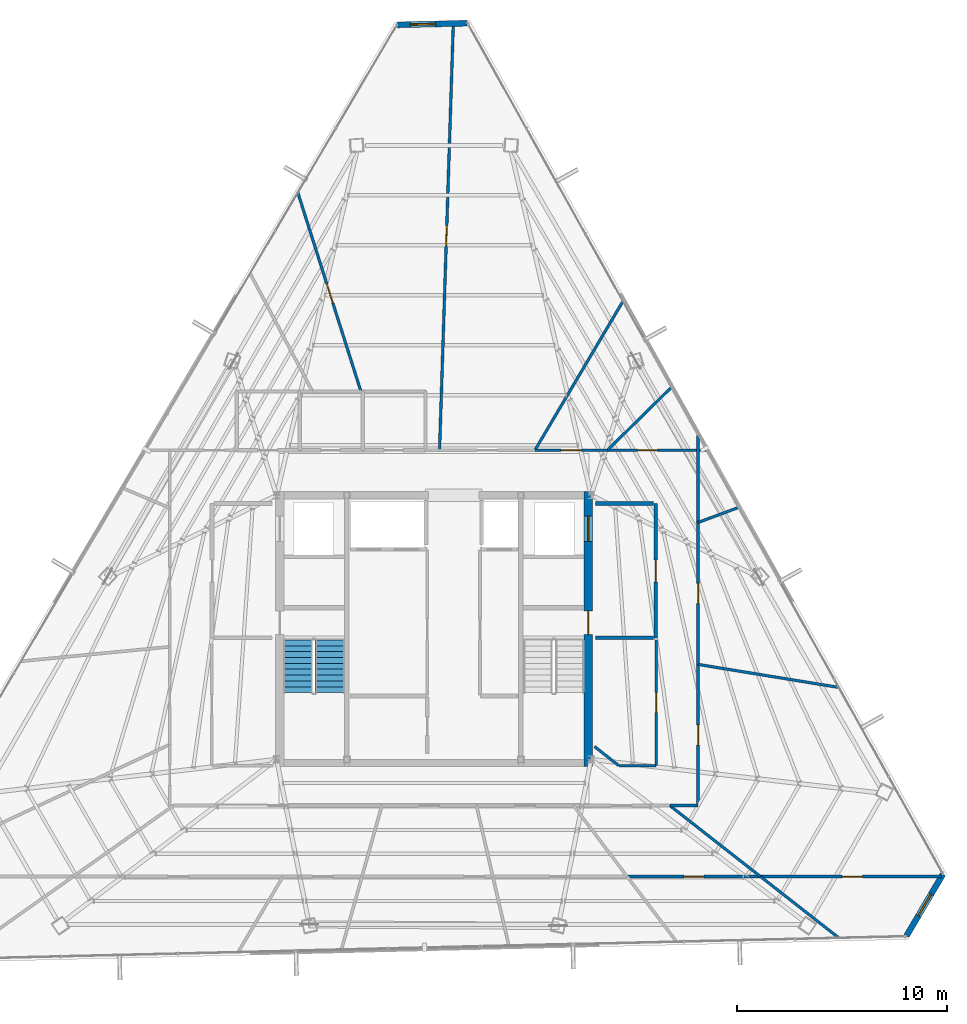
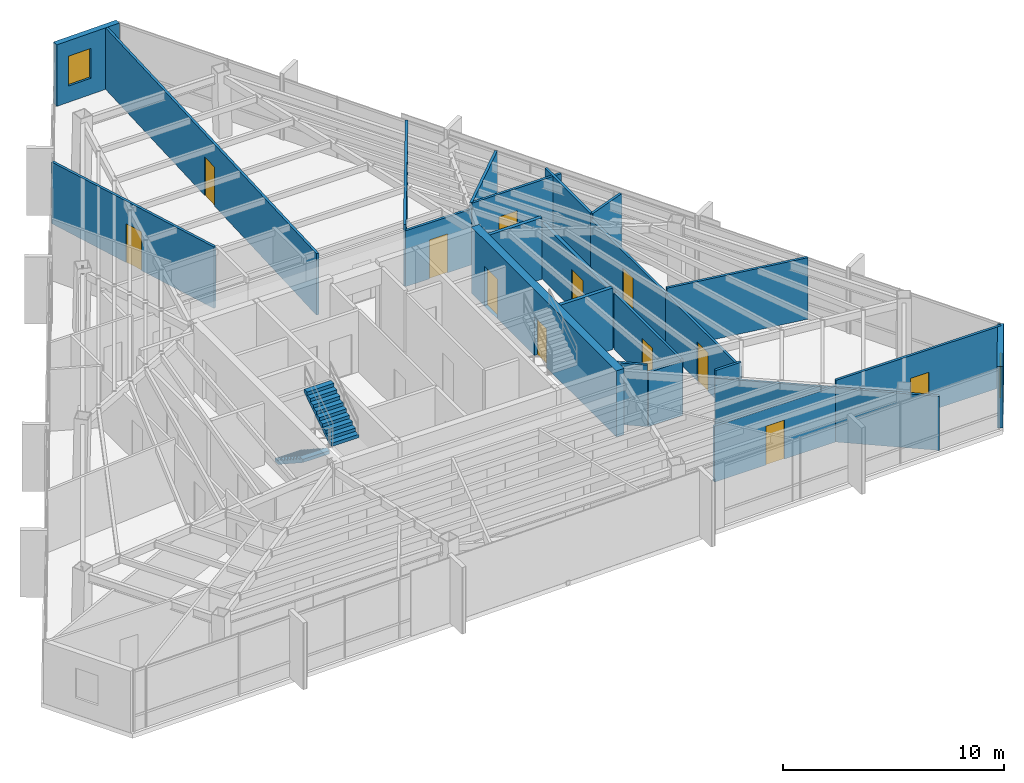
# One storey, part 42 of 45: 25 walls, 12 doors, 2 stair flights, 2 windows, 14 openings, 1 element without a shape of its own.
"""IFC4 building model written with IfcOpenShell, lengths in metres."""

from ifc_helpers import new_model, si_unit, direction, frame, frame_2d, origin, place, context, subcontext, project, spatial, polyline, rectangle, outline, extrude, material, layer, layer_set, type_object, element, fill, aggregate, save


model = new_model("IFC4")

# Units and contexts
model_context = context("Model", 3, precision=1e-05, world=origin(), true_north=direction((0.0, 1.0)))
body_context = subcontext(model_context, "Body", "Model", "MODEL_VIEW")
ifc_project = project(units=[si_unit("LENGTHUNIT", "METRE"), si_unit("AREAUNIT", "SQUARE_METRE"), si_unit("VOLUMEUNIT", "CUBIC_METRE"), si_unit("PLANEANGLEUNIT", "RADIAN"), si_unit("MASSUNIT", "GRAM", prefix="KILO")], contexts=[model_context])

# Site, building, storey
site_placement = place(None, origin())
site = spatial("IfcSite", under=ifc_project, at=site_placement, CompositionType="ELEMENT")
building_placement = place(site_placement, origin())
building = spatial("IfcBuilding", under=site, at=building_placement, Name="Caelisora Broadcast Tower", CompositionType="ELEMENT")
storey_placement = place(building_placement, frame((0.0, 0.0, 262.699951171875)))
storey = spatial("IfcBuildingStorey", under=building, at=storey_placement, Name="L69", CompositionType="ELEMENT", Elevation=262.699951171875)

# Wall, openings, doors
ifc_material_1 = material(Name="Concrete 40 MPa (AS 3600 N40)", Category="concrete")
ifc_layer_1 = layer(ifc_material_1, 0.39990234375, Name="Concrete 40 MPa (AS 3600 N40)")
ifc_layer_set_1 = layer_set([ifc_layer_1], Name="Concrete 40 MPa (AS 3600 N40)")
wall_type_1 = type_object("IfcWallType", Name="CW3", PredefinedType="SHEAR", material=ifc_layer_set_1)
wall_1_placement = place(storey_placement, frame((45.360107421875, 17.050048828125, 0.0), z_axis=(0.0, 0.0, 1.0), x_axis=(0.0, 1.0, 0.0)))
wall_1 = element("IfcWall", 1, at=wall_1_placement, inside=storey, type_object=wall_type_1, Name="L69 core shear wall CW3", PredefinedType="SHEAR", context=body_context, shape_type="SweptSolid", body=[
    extrude(rectangle(XDim=13.125, YDim=0.39990234375, at=frame_2d((6.5625, 0.0))), origin(), (0.0, 0.0, 1.0), 3.650146484375),
])
opening_1_placement = place(wall_1_placement, frame((6.300048828125, 0.0, 0.0)))
opening_1 = element("IfcOpeningElement", 2, at=opening_1_placement, cuts=wall_1, Name="Opening FD04", PredefinedType="OPENING", context=body_context, shape_type="SweptSolid", body=[
    extrude(rectangle(XDim=1.1201171875, YDim=2.14990234375, at=frame_2d((0.56005859375, 1.074951171875))), frame((0.0, 0.2119140625, 0.0), z_axis=(0.0, -1.0, 0.0), x_axis=(1.0, 0.0, 0.0)), (0.0, 0.0, 1.0), 0.423828125),
])
opening_2_placement = place(wall_1_placement, frame((10.75, 0.0, 0.0)))
opening_2 = element("IfcOpeningElement", 3, at=opening_2_placement, cuts=wall_1, Name="Opening LD04", PredefinedType="OPENING", context=body_context, shape_type="SweptSolid", body=[
    extrude(rectangle(XDim=1.199951171875, YDim=2.199951171875, at=frame_2d((0.60009765625, 1.10009765625))), frame((0.0, 0.2119140625, 0.0), z_axis=(0.0, -1.0, 0.0), x_axis=(1.0, 0.0, 0.0)), (0.0, 0.0, 1.0), 0.423828125),
])
ifc_material_2 = material(Name="Pressurised Fire-Isolated Stair Door", Category="steel")
door_type_1 = type_object("IfcDoorType", Name="FD04", OperationType="NOTDEFINED", PredefinedType="DOOR", material=ifc_material_2)
door_1_placement = place(opening_1_placement, origin())
door_1 = element("IfcDoor", 4, at=door_1_placement, inside=storey, type_object=door_type_1, Name="L69 door FD04 (L69-DR-ST2)", OperationType="SINGLE_SWING_RIGHT", OverallHeight=2.14990234375, OverallWidth=1.1201171875, PredefinedType="DOOR", context=body_context, shape_type="SweptSolid", body=[
    extrude(rectangle(XDim=1.1201171875, YDim=2.14990234375, at=frame_2d((0.56005859375, 1.074951171875))), frame((0.0, 0.02490234375, 0.0), z_axis=(0.0, -1.0, 0.0), x_axis=(1.0, 0.0, 0.0)), (0.0, 0.0, 1.0), 0.050048828125),
])
fill(opening_1, door_1)
ifc_material_3 = material(Name="Emergency Firefighting Lift Sliding Landing Door", Category="steel")
door_type_2 = type_object("IfcDoorType", Name="LD04", OperationType="NOTDEFINED", PredefinedType="DOOR", material=ifc_material_3)
door_2_placement = place(opening_2_placement, origin())
door_2 = element("IfcDoor", 5, at=door_2_placement, inside=storey, type_object=door_type_2, Name="L69 door LD04 (L69-LD-FFL2)", OperationType="SLIDING_TO_RIGHT", OverallHeight=2.199951171875, OverallWidth=1.199951171875, PredefinedType="DOOR", context=body_context, shape_type="SweptSolid", body=[
    extrude(rectangle(XDim=1.199951171875, YDim=2.199951171875, at=frame_2d((0.60009765625, 1.10009765625))), frame((0.0, 0.02490234375, 0.0), z_axis=(0.0, -1.0, 0.0), x_axis=(1.0, 0.0, 0.0)), (0.0, 0.0, 1.0), 0.050048828125),
])
fill(opening_2, door_2)

# Wall, opening, window
ifc_material_4 = material(Name="Insulated Terracotta Spandrel Wall System", Category="masonry")
ifc_layer_2 = layer(ifc_material_4, 0.280029296875, Name="Insulated Terracotta Spandrel Wall System")
ifc_layer_set_2 = layer_set([ifc_layer_2], Name="Insulated Terracotta Spandrel Wall System")
wall_type_2 = type_object("IfcWallType", Name="EW1", PredefinedType="STANDARD", material=ifc_layer_set_2)
wall_2_placement = place(storey_placement, frame((62.274658203125, 11.914306640625, 0.0), z_axis=(0.0, 0.0, 1.0), x_axis=(-0.508480349424, -0.86107359398, 0.0)))
wall_2 = element("IfcWall", 6, at=wall_2_placement, inside=storey, type_object=wall_type_2, Name="L69 exterior envelope wall EW1", PredefinedType="STANDARD", context=body_context, shape_type="SweptSolid", body=[
    extrude(rectangle(XDim=3.4033203125, YDim=0.280029296875, at=frame_2d((1.70166015625, 0.0))), origin(), (0.0, 0.0, 1.0), 3.400146484375),
])
opening_3_placement = place(wall_2_placement, frame((1.10009765625, 0.0, 0.89990234375)))
opening_3 = element("IfcOpeningElement", 7, at=opening_3_placement, cuts=wall_2, Name="Opening W03", PredefinedType="OPENING", context=body_context, shape_type="SweptSolid", body=[
    extrude(rectangle(XDim=1.199951171875, YDim=1.64990234375, at=frame_2d((0.60009765625, 0.824951171875))), frame((0.0, 0.152099609375, 0.0), z_axis=(0.0, -1.0, 0.0), x_axis=(1.0, 0.0, 0.0)), (0.0, 0.0, 1.0), 0.303955078125),
])
ifc_material_5 = material(Name="Double Glazed Corner Vision Window", Category="glass")
window_type = type_object("IfcWindowType", Name="W03", PartitioningType="SINGLE_PANEL", PredefinedType="WINDOW", material=ifc_material_5)
window_1_placement = place(opening_3_placement, origin())
window_1 = element("IfcWindow", 8, at=window_1_placement, inside=storey, type_object=window_type, Name="L69 window W03 (L69-WN-CH0)", OverallHeight=1.64990234375, OverallWidth=1.199951171875, PartitioningType="SINGLE_PANEL", PredefinedType="WINDOW", context=body_context, shape_type="SweptSolid", body=[
    extrude(rectangle(XDim=1.199951171875, YDim=1.64990234375, at=frame_2d((0.60009765625, 0.824951171875))), frame((0.0, 0.030029296875, 0.0), z_axis=(0.0, -1.0, 0.0), x_axis=(1.0, 0.0, 0.0)), (0.0, 0.0, 1.0), 0.06005859375),
])
fill(opening_3, window_1)

wall_3_placement = place(storey_placement, frame((36.27001953125, 52.435791015625, 0.0), z_axis=(0.0, 0.0, 1.0), x_axis=(0.999711728511, 0.024009578864, 0.0)))
wall_3 = element("IfcWall", 9, at=wall_3_placement, inside=storey, type_object=wall_type_2, Name="L69 exterior envelope wall EW1", PredefinedType="STANDARD", context=body_context, shape_type="SweptSolid", body=[
    extrude(rectangle(XDim=3.31494140625, YDim=0.280029296875, at=frame_2d((1.657470703125, 0.0))), origin(), (0.0, 0.0, 1.0), 3.400146484375),
])
opening_4_placement = place(wall_3_placement, frame((0.610107421875, 0.0, 0.89990234375)))
opening_4 = element("IfcOpeningElement", 10, at=opening_4_placement, cuts=wall_3, Name="Opening W03", PredefinedType="OPENING", context=body_context, shape_type="SweptSolid", body=[
    extrude(rectangle(XDim=1.199951171875, YDim=1.64990234375, at=frame_2d((0.60009765625, 0.824951171875))), frame((0.0, 0.152099609375, 0.0), z_axis=(0.0, -1.0, 0.0), x_axis=(1.0, 0.0, 0.0)), (0.0, 0.0, 1.0), 0.303955078125),
])
window_2_placement = place(opening_4_placement, origin())
window_2 = element("IfcWindow", 11, at=window_2_placement, inside=storey, type_object=window_type, Name="L69 window W03 (L69-WN-CH8)", OverallHeight=1.64990234375, OverallWidth=1.199951171875, PartitioningType="SINGLE_PANEL", PredefinedType="WINDOW", context=body_context, shape_type="SweptSolid", body=[
    extrude(rectangle(XDim=1.199951171875, YDim=1.64990234375, at=frame_2d((0.60009765625, 0.824951171875))), frame((0.0, 0.030029296875, 0.0), z_axis=(0.0, -1.0, 0.0), x_axis=(1.0, 0.0, 0.0)), (0.0, 0.0, 1.0), 0.06005859375),
])
fill(opening_4, window_2)

# Wall, opening, door
ifc_material_6 = material(Name="Fire-Rated Gypsum Shaft and Compartment Wall", Category="gypsum")
ifc_layer_3 = layer(ifc_material_6, 0.179931640625, Name="Fire-Rated Gypsum Shaft and Compartment Wall")
ifc_layer_set_3 = layer_set([ifc_layer_3], Name="Fire-Rated Gypsum Shaft and Compartment Wall")
wall_type_3 = type_object("IfcWallType", Name="PW2", PredefinedType="PARTITIONING", material=ifc_layer_set_3)
wall_4_placement = place(storey_placement, frame((48.580078125, 23.199951171875, 0.0), z_axis=(0.0, 0.0, 1.0), x_axis=(0.0, 1.0, 0.0)))
wall_4 = element("IfcWall", 12, at=wall_4_placement, inside=storey, type_object=wall_type_3, Name="L69 fire compartment wall PW2", PredefinedType="PARTITIONING", context=body_context, shape_type="SweptSolid", body=[
    extrude(rectangle(XDim=6.400146484375, YDim=0.179931640625, at=frame_2d((3.2001953125, 0.0))), origin(), (0.0, 0.0, 1.0), 3.0849609375),
])
opening_5_placement = place(wall_4_placement, frame((2.64990234375, 0.0, 0.0)))
opening_5 = element("IfcOpeningElement", 13, at=opening_5_placement, cuts=wall_4, Name="Opening FD02", PredefinedType="OPENING", context=body_context, shape_type="SweptSolid", body=[
    extrude(rectangle(XDim=1.050048828125, YDim=2.14990234375, at=frame_2d((0.52490234375, 1.074951171875))), frame((0.0, 0.10205078125, 0.0), z_axis=(0.0, -1.0, 0.0), x_axis=(1.0, 0.0, 0.0)), (0.0, 0.0, 1.0), 0.203857421875),
])
ifc_material_7 = material(Name="Single-Leaf Steel Fire Lobby Door", Category="steel")
door_type_3 = type_object("IfcDoorType", Name="FD02", OperationType="NOTDEFINED", PredefinedType="DOOR", material=ifc_material_7)
door_3_placement = place(opening_5_placement, origin())
door_3 = element("IfcDoor", 14, at=door_3_placement, inside=storey, type_object=door_type_3, Name="L69 door FD02 (L69-DR-P04D1)", OperationType="SINGLE_SWING_RIGHT", OverallHeight=2.14990234375, OverallWidth=1.050048828125, PredefinedType="DOOR", context=body_context, shape_type="SweptSolid", body=[
    extrude(rectangle(XDim=1.050048828125, YDim=2.14990234375, at=frame_2d((0.52490234375, 1.074951171875))), frame((0.0, 0.02490234375, 0.0), z_axis=(0.0, -1.0, 0.0), x_axis=(1.0, 0.0, 0.0)), (0.0, 0.0, 1.0), 0.050048828125),
])
fill(opening_5, door_3)

# Walls
for number, where, z_axis, x_axis, name in (
    (15, (45.719970703125, 23.199951171875, 0.0), (0.0, 0.0, 1.0), (1.0, 0.0, 0.0), "L69 fire compartment wall PW2"),
    (16, (45.719970703125, 29.60009765625, 0.0), (0.0, 0.0, 1.0), (1.0, 0.0, 0.0), "L69 fire compartment wall PW2"),
):
    element("IfcWall", number, at=place(storey_placement, frame(where, z_axis=z_axis, x_axis=x_axis)), inside=storey, type_object=wall_type_3, Name=name, PredefinedType="PARTITIONING", context=body_context, shape_type="SweptSolid", body=[
        extrude(rectangle(XDim=2.760009765625, YDim=0.179931640625, at=frame_2d((1.3798828125, 0.0))), origin(), (0.0, 0.0, 1.0), 3.400146484375),
    ])

# Wall, opening, door
ifc_material_8 = material(Name="Acoustic Steel-Stud Plasterboard Partition", Category="gypsum")
ifc_layer_4 = layer(ifc_material_8, 0.1298828125, Name="Acoustic Steel-Stud Plasterboard Partition")
ifc_layer_set_4 = layer_set([ifc_layer_4], Name="Acoustic Steel-Stud Plasterboard Partition")
wall_type_4 = type_object("IfcWallType", Name="PW3", PredefinedType="PARTITIONING", material=ifc_layer_set_4)
wall_5_placement = place(storey_placement, frame((38.27001953125, 32.155029296875, 0.0), z_axis=(0.0, 0.0, 1.0), x_axis=(0.032268342776, 0.999479241433, 0.0)))
wall_5 = element("IfcWall", 17, at=wall_5_placement, inside=storey, type_object=wall_type_4, Name="L69 internal partition PW3", PredefinedType="PARTITIONING", context=body_context, shape_type="SweptSolid", body=[
    extrude(rectangle(XDim=20.35986328125, YDim=0.1298828125, at=frame_2d((10.179931640625, 0.0))), origin(), (0.0, 0.0, 1.0), 3.400146484375),
])
opening_6_placement = place(wall_5_placement, frame((9.748046875, 0.0, 0.0)))
opening_6 = element("IfcOpeningElement", 18, at=opening_6_placement, cuts=wall_5, Name="Opening D01", PredefinedType="OPENING", context=body_context, shape_type="SweptSolid", body=[
    extrude(rectangle(XDim=0.9599609375, YDim=2.14990234375, at=frame_2d((0.47998046875, 1.074951171875))), frame((0.0, 0.076904296875, 0.0), z_axis=(0.0, -1.0, 0.0), x_axis=(1.0, 0.0, 0.0)), (0.0, 0.0, 1.0), 0.15380859375),
])
ifc_material_9 = material(Name="Solid-Core Timber Acoustic Office Door", Category="wood")
door_type_4 = type_object("IfcDoorType", Name="D01", OperationType="NOTDEFINED", PredefinedType="DOOR", material=ifc_material_9)
door_4_placement = place(opening_6_placement, origin())
door_4 = element("IfcDoor", 19, at=door_4_placement, inside=storey, type_object=door_type_4, Name="L69 door D01 (L69-DR-P25D1)", OperationType="SINGLE_SWING_LEFT", OverallHeight=2.14990234375, OverallWidth=0.9599609375, PredefinedType="DOOR", context=body_context, shape_type="SweptSolid", body=[
    extrude(rectangle(XDim=0.9599609375, YDim=2.14990234375, at=frame_2d((0.47998046875, 1.074951171875))), frame((0.0, 0.02490234375, 0.0), z_axis=(0.0, -1.0, 0.0), x_axis=(1.0, 0.0, 0.0)), (0.0, 0.0, 1.0), 0.050048828125),
])
fill(opening_6, door_4)

wall_6_placement = place(storey_placement, frame((31.509521484375, 44.435302734375, 0.0), z_axis=(0.0, 0.0, 1.0), x_axis=(0.302483210132, -0.953154713353, 0.0)))
wall_6 = element("IfcWall", 20, at=wall_6_placement, inside=storey, type_object=wall_type_4, Name="L69 internal partition PW3", PredefinedType="PARTITIONING", context=body_context, shape_type="SweptSolid", body=[
    extrude(rectangle(XDim=9.946044921875, YDim=0.1298828125, at=frame_2d((4.97314453125, 0.0))), origin(), (0.0, 0.0, 1.0), 3.400146484375),
])
opening_7_placement = place(wall_6_placement, frame((4.55908203125, 0.0, 0.0)))
opening_7 = element("IfcOpeningElement", 21, at=opening_7_placement, cuts=wall_6, Name="Opening D01", PredefinedType="OPENING", context=body_context, shape_type="SweptSolid", body=[
    extrude(rectangle(XDim=0.9599609375, YDim=2.14990234375, at=frame_2d((0.47998046875, 1.074951171875))), frame((0.0, 0.076904296875, 0.0), z_axis=(0.0, -1.0, 0.0), x_axis=(1.0, 0.0, 0.0)), (0.0, 0.0, 1.0), 0.15380859375),
])
door_5_placement = place(opening_7_placement, origin())
door_5 = element("IfcDoor", 22, at=door_5_placement, inside=storey, type_object=door_type_4, Name="L69 door D01 (L69-DR-P28D1)", OperationType="SINGLE_SWING_RIGHT", OverallHeight=2.14990234375, OverallWidth=0.9599609375, PredefinedType="DOOR", context=body_context, shape_type="SweptSolid", body=[
    extrude(rectangle(XDim=0.9599609375, YDim=2.14990234375, at=frame_2d((0.47998046875, 1.074951171875))), frame((0.0, 0.02490234375, 0.0), z_axis=(0.0, -1.0, 0.0), x_axis=(1.0, 0.0, 0.0)), (0.0, 0.0, 1.0), 0.050048828125),
])
fill(opening_7, door_5)

wall_7_placement = place(storey_placement, frame((53.5849609375, 11.81005859375, 0.0), z_axis=(0.0, 0.0, 1.0), x_axis=(1.0, 0.0, 0.0)))
wall_7 = element("IfcWall", 23, at=wall_7_placement, inside=storey, type_object=wall_type_4, Name="L69 internal partition PW3", PredefinedType="PARTITIONING", context=body_context, shape_type="SweptSolid", body=[
    extrude(rectangle(XDim=8.634033203125, YDim=0.1298828125, at=frame_2d((4.31689453125, 0.0))), origin(), (0.0, 0.0, 1.0), 3.400146484375),
])
opening_8_placement = place(wall_7_placement, frame((3.89208984375, 0.0, 0.0)))
opening_8 = element("IfcOpeningElement", 24, at=opening_8_placement, cuts=wall_7, Name="Opening D01", PredefinedType="OPENING", context=body_context, shape_type="SweptSolid", body=[
    extrude(rectangle(XDim=0.9599609375, YDim=2.14990234375, at=frame_2d((0.47998046875, 1.074951171875))), frame((0.0, 0.076904296875, 0.0), z_axis=(0.0, -1.0, 0.0), x_axis=(1.0, 0.0, 0.0)), (0.0, 0.0, 1.0), 0.15380859375),
])
door_6_placement = place(opening_8_placement, origin())
door_6 = element("IfcDoor", 25, at=door_6_placement, inside=storey, type_object=door_type_4, Name="L69 door D01 (L69-DR-P31D1)", OperationType="SINGLE_SWING_LEFT", OverallHeight=2.14990234375, OverallWidth=0.9599609375, PredefinedType="DOOR", context=body_context, shape_type="SweptSolid", body=[
    extrude(rectangle(XDim=0.9599609375, YDim=2.14990234375, at=frame_2d((0.47998046875, 1.074951171875))), frame((0.0, 0.02490234375, 0.0), z_axis=(0.0, -1.0, 0.0), x_axis=(1.0, 0.0, 0.0)), (0.0, 0.0, 1.0), 0.050048828125),
])
fill(opening_8, door_6)

# Walls
wall_8_placement = place(storey_placement, frame((42.822998046875, 32.154052734375, 0.0), z_axis=(0.0, 0.0, 1.0), x_axis=(0.508624754374, 0.860988303775, 0.0)))
element("IfcWall", 26, at=wall_8_placement, inside=storey, type_object=wall_type_4, Name="L69 internal partition PW3", PredefinedType="PARTITIONING", context=body_context, shape_type="SweptSolid", body=[
    extrude(rectangle(XDim=8.26025390625, YDim=0.1298828125, at=frame_2d((4.130126953125, 0.0))), origin(), (0.0, 0.0, 1.0), 3.400146484375),
])
wall_9_placement = place(storey_placement, frame((50.60498046875, 21.928955078125, 0.0), z_axis=(0.0, 0.0, 1.0), x_axis=(0.986902504293, -0.161317844706, 0.0)))
element("IfcWall", 27, at=wall_9_placement, inside=storey, type_object=wall_type_4, Name="L69 internal partition PW3", PredefinedType="PARTITIONING", context=body_context, shape_type="SweptSolid", body=[
    extrude(rectangle(XDim=6.811767578125, YDim=0.1298828125, at=frame_2d((3.40576171875, 0.0))), origin(), (0.0, 0.0, 1.0), 3.400146484375),
])

# Wall, opening, door
wall_10_placement = place(storey_placement, frame((50.60009765625, 21.93505859375, 0.0), z_axis=(0.0, 0.0, 1.0), x_axis=(0.0, 1.0, 0.0)))
wall_10 = element("IfcWall", 28, at=wall_10_placement, inside=storey, type_object=wall_type_4, Name="L69 internal partition PW3", PredefinedType="PARTITIONING", context=body_context, shape_type="SweptSolid", body=[
    extrude(rectangle(XDim=6.760009765625, YDim=0.1298828125, at=frame_2d((3.3798828125, 0.0))), origin(), (0.0, 0.0, 1.0), 3.0849609375),
])
opening_9_placement = place(wall_10_placement, frame((2.89990234375, 0.0, 0.0)))
opening_9 = element("IfcOpeningElement", 29, at=opening_9_placement, cuts=wall_10, Name="Opening D01", PredefinedType="OPENING", context=body_context, shape_type="SweptSolid", body=[
    extrude(rectangle(XDim=0.9599609375, YDim=2.14990234375, at=frame_2d((0.47998046875, 1.074951171875))), frame((0.0, 0.076904296875, 0.0), z_axis=(0.0, -1.0, 0.0), x_axis=(1.0, 0.0, 0.0)), (0.0, 0.0, 1.0), 0.15380859375),
])
door_7_placement = place(opening_9_placement, origin())
door_7 = element("IfcDoor", 30, at=door_7_placement, inside=storey, type_object=door_type_4, Name="L69 door D01 (L69-DR-P38D1)", OperationType="SINGLE_SWING_LEFT", OverallHeight=2.14990234375, OverallWidth=0.9599609375, PredefinedType="DOOR", context=body_context, shape_type="SweptSolid", body=[
    extrude(rectangle(XDim=0.9599609375, YDim=2.14990234375, at=frame_2d((0.47998046875, 1.074951171875))), frame((0.0, 0.02490234375, 0.0), z_axis=(0.0, -1.0, 0.0), x_axis=(1.0, 0.0, 0.0)), (0.0, 0.0, 1.0), 0.050048828125),
])
fill(opening_9, door_7)

wall_11_placement = place(storey_placement, frame((50.60009765625, 15.205078125, 0.0), z_axis=(0.0, 0.0, 1.0), x_axis=(0.0, 1.0, 0.0)))
wall_11 = element("IfcWall", 31, at=wall_11_placement, inside=storey, type_object=wall_type_4, Name="L69 internal partition PW3", PredefinedType="PARTITIONING", context=body_context, shape_type="SweptSolid", body=[
    extrude(rectangle(XDim=6.719970703125, YDim=0.1298828125, at=frame_2d((3.35986328125, 0.0))), origin(), (0.0, 0.0, 1.0), 3.0849609375),
])
opening_10_placement = place(wall_11_placement, frame((2.8798828125, 0.0, 0.0)))
opening_10 = element("IfcOpeningElement", 32, at=opening_10_placement, cuts=wall_11, Name="Opening D01", PredefinedType="OPENING", context=body_context, shape_type="SweptSolid", body=[
    extrude(rectangle(XDim=0.9599609375, YDim=2.14990234375, at=frame_2d((0.47998046875, 1.074951171875))), frame((0.0, 0.076904296875, 0.0), z_axis=(0.0, -1.0, 0.0), x_axis=(1.0, 0.0, 0.0)), (0.0, 0.0, 1.0), 0.15380859375),
])
door_8_placement = place(opening_10_placement, origin())
door_8 = element("IfcDoor", 33, at=door_8_placement, inside=storey, type_object=door_type_4, Name="L69 door D01 (L69-DR-P39D1)", OperationType="SINGLE_SWING_RIGHT", OverallHeight=2.14990234375, OverallWidth=0.9599609375, PredefinedType="DOOR", context=body_context, shape_type="SweptSolid", body=[
    extrude(rectangle(XDim=0.9599609375, YDim=2.14990234375, at=frame_2d((0.47998046875, 1.074951171875))), frame((0.0, 0.02490234375, 0.0), z_axis=(0.0, -1.0, 0.0), x_axis=(1.0, 0.0, 0.0)), (0.0, 0.0, 1.0), 0.050048828125),
])
fill(opening_10, door_8)

wall_12_placement = place(storey_placement, frame((47.22509765625, 11.81005859375, 0.0), z_axis=(0.0, 0.0, 1.0), x_axis=(1.0, 0.0, 0.0)))
wall_12 = element("IfcWall", 34, at=wall_12_placement, inside=storey, type_object=wall_type_4, Name="L69 internal partition PW3", PredefinedType="PARTITIONING", context=body_context, shape_type="SweptSolid", body=[
    extrude(rectangle(XDim=6.349853515625, YDim=0.1298828125, at=frame_2d((3.1748046875, 0.0))), origin(), (0.0, 0.0, 1.0), 3.0849609375),
])
opening_11_placement = place(wall_12_placement, frame((2.695068359375, 0.0, 0.0)))
opening_11 = element("IfcOpeningElement", 35, at=opening_11_placement, cuts=wall_12, Name="Opening D01", PredefinedType="OPENING", context=body_context, shape_type="SweptSolid", body=[
    extrude(rectangle(XDim=0.9599609375, YDim=2.14990234375, at=frame_2d((0.47998046875, 1.074951171875))), frame((0.0, 0.076904296875, 0.0), z_axis=(0.0, -1.0, 0.0), x_axis=(1.0, 0.0, 0.0)), (0.0, 0.0, 1.0), 0.15380859375),
])
door_9_placement = place(opening_11_placement, origin())
door_9 = element("IfcDoor", 36, at=door_9_placement, inside=storey, type_object=door_type_4, Name="L69 door D01 (L69-DR-P43D1)", OperationType="SINGLE_SWING_LEFT", OverallHeight=2.14990234375, OverallWidth=0.9599609375, PredefinedType="DOOR", context=body_context, shape_type="SweptSolid", body=[
    extrude(rectangle(XDim=0.9599609375, YDim=2.14990234375, at=frame_2d((0.47998046875, 1.074951171875))), frame((0.0, 0.02490234375, 0.0), z_axis=(0.0, -1.0, 0.0), x_axis=(1.0, 0.0, 0.0)), (0.0, 0.0, 1.0), 0.050048828125),
])
fill(opening_11, door_9)

wall_13_placement = place(storey_placement, frame((48.60009765625, 17.10498046875, 0.0), z_axis=(0.0, 0.0, 1.0), x_axis=(0.0, 1.0, 0.0)))
wall_13 = element("IfcWall", 37, at=wall_13_placement, inside=storey, type_object=wall_type_4, Name="L69 internal partition PW3", PredefinedType="PARTITIONING", context=body_context, shape_type="SweptSolid", body=[
    extrude(rectangle(XDim=6.0, YDim=0.1298828125, at=frame_2d((3.0, 0.0))), origin(), (0.0, 0.0, 1.0), 3.0849609375),
])
opening_12_placement = place(wall_13_placement, frame((2.52001953125, 0.0, 0.0)))
opening_12 = element("IfcOpeningElement", 38, at=opening_12_placement, cuts=wall_13, Name="Opening D01", PredefinedType="OPENING", context=body_context, shape_type="SweptSolid", body=[
    extrude(rectangle(XDim=0.9599609375, YDim=2.14990234375, at=frame_2d((0.47998046875, 1.074951171875))), frame((0.0, 0.076904296875, 0.0), z_axis=(0.0, -1.0, 0.0), x_axis=(1.0, 0.0, 0.0)), (0.0, 0.0, 1.0), 0.15380859375),
])
door_10_placement = place(opening_12_placement, origin())
door_10 = element("IfcDoor", 39, at=door_10_placement, inside=storey, type_object=door_type_4, Name="L69 door D01 (L69-DR-P45D1)", OperationType="SINGLE_SWING_LEFT", OverallHeight=2.14990234375, OverallWidth=0.9599609375, PredefinedType="DOOR", context=body_context, shape_type="SweptSolid", body=[
    extrude(rectangle(XDim=0.9599609375, YDim=2.14990234375, at=frame_2d((0.47998046875, 1.074951171875))), frame((0.0, 0.02490234375, 0.0), z_axis=(0.0, -1.0, 0.0), x_axis=(1.0, 0.0, 0.0)), (0.0, 0.0, 1.0), 0.050048828125),
])
fill(opening_12, door_10)

# Walls
wall_14_placement = place(storey_placement, frame((49.25390625, 15.197021484375, 0.0), z_axis=(0.0, 0.0, 1.0), x_axis=(0.787365138275, -0.61648693338, 0.0)))
element("IfcWall", 40, at=wall_14_placement, inside=storey, type_object=wall_type_4, Name="L69 internal partition PW3", PredefinedType="PARTITIONING", context=body_context, shape_type="SweptSolid", body=[
    extrude(rectangle(XDim=5.4892578125, YDim=0.1298828125, at=frame_2d((2.74462890625, 0.0))), origin(), (0.0, 0.0, 1.0), 2.985107421875),
])
wall_15_placement = place(storey_placement, frame((53.583984375, 11.806884765625, 0.0), z_axis=(0.0, 0.0, 1.0), x_axis=(0.7873705788, -0.616479984784, 0.0)))
element("IfcWall", 41, at=wall_15_placement, inside=storey, type_object=wall_type_4, Name="L69 internal partition PW3", PredefinedType="PARTITIONING", context=body_context, shape_type="SweptSolid", body=[
    extrude(rectangle(XDim=4.753173828125, YDim=0.1298828125, at=frame_2d((2.37646484375, 0.0))), origin(), (0.0, 0.0, 1.0), 2.985107421875),
])
wall_16_placement = place(storey_placement, frame((46.283935546875, 32.154052734375, 0.0), z_axis=(0.0, 0.0, 1.0), x_axis=(0.712832058729, 0.70133476746, 0.0)))
element("IfcWall", 42, at=wall_16_placement, inside=storey, type_object=wall_type_4, Name="L69 internal partition PW3", PredefinedType="PARTITIONING", context=body_context, shape_type="SweptSolid", body=[
    extrude(rectangle(XDim=4.26806640625, YDim=0.1298828125, at=frame_2d((2.134033203125, 0.0))), origin(), (0.0, 0.0, 1.0), 3.400146484375),
])

# Wall, opening, door
wall_17_placement = place(storey_placement, frame((50.9755859375, 32.14990234375, 0.0), z_axis=(0.0, 0.0, 1.0), x_axis=(-1.0, 0.0, 0.0)))
wall_17 = element("IfcWall", 43, at=wall_17_placement, inside=storey, type_object=wall_type_4, Name="L69 internal partition PW3", PredefinedType="PARTITIONING", context=body_context, shape_type="SweptSolid", body=[
    extrude(rectangle(XDim=4.690673828125, YDim=0.1298828125, at=frame_2d((2.34521484375, 0.0))), origin(), (0.0, 0.0, 1.0), 3.400146484375),
])
opening_13_placement = place(wall_17_placement, frame((2.300048828125, 0.0, 0.0)))
opening_13 = element("IfcOpeningElement", 44, at=opening_13_placement, cuts=wall_17, Name="Opening D01", PredefinedType="OPENING", context=body_context, shape_type="SweptSolid", body=[
    extrude(rectangle(XDim=0.9599609375, YDim=2.14990234375, at=frame_2d((0.47998046875, 1.074951171875))), frame((0.0, 0.076904296875, 0.0), z_axis=(0.0, -1.0, 0.0), x_axis=(1.0, 0.0, 0.0)), (0.0, 0.0, 1.0), 0.15380859375),
])
door_11_placement = place(opening_13_placement, origin())
door_11 = element("IfcDoor", 45, at=door_11_placement, inside=storey, type_object=door_type_4, Name="L69 door D01 (L69-DR-P56D1)", OperationType="SINGLE_SWING_RIGHT", OverallHeight=2.14990234375, OverallWidth=0.9599609375, PredefinedType="DOOR", context=body_context, shape_type="SweptSolid", body=[
    extrude(rectangle(XDim=0.9599609375, YDim=2.14990234375, at=frame_2d((0.47998046875, 1.074951171875))), frame((0.0, 0.02490234375, 0.0), z_axis=(0.0, -1.0, 0.0), x_axis=(1.0, 0.0, 0.0)), (0.0, 0.0, 1.0), 0.050048828125),
])
fill(opening_13, door_11)

wall_18_placement = place(storey_placement, frame((42.824951171875, 32.14990234375, 0.0), z_axis=(0.0, 0.0, 1.0), x_axis=(1.0, 0.0, 0.0)))
wall_18 = element("IfcWall", 46, at=wall_18_placement, inside=storey, type_object=wall_type_4, Name="L69 internal partition PW3", PredefinedType="PARTITIONING", context=body_context, shape_type="SweptSolid", body=[
    extrude(rectangle(XDim=3.449951171875, YDim=0.1298828125, at=frame_2d((1.72509765625, 0.0))), origin(), (0.0, 0.0, 1.0), 3.0849609375),
])
opening_14_placement = place(wall_18_placement, frame((1.2451171875, 0.0, 0.0)))
opening_14 = element("IfcOpeningElement", 47, at=opening_14_placement, cuts=wall_18, Name="Opening D01", PredefinedType="OPENING", context=body_context, shape_type="SweptSolid", body=[
    extrude(rectangle(XDim=0.9599609375, YDim=2.14990234375, at=frame_2d((0.47998046875, 1.074951171875))), frame((0.0, 0.076904296875, 0.0), z_axis=(0.0, -1.0, 0.0), x_axis=(1.0, 0.0, 0.0)), (0.0, 0.0, 1.0), 0.15380859375),
])
door_12_placement = place(opening_14_placement, origin())
door_12 = element("IfcDoor", 48, at=door_12_placement, inside=storey, type_object=door_type_4, Name="L69 door D01 (L69-DR-P65D1)", OperationType="SINGLE_SWING_RIGHT", OverallHeight=2.14990234375, OverallWidth=0.9599609375, PredefinedType="DOOR", context=body_context, shape_type="SweptSolid", body=[
    extrude(rectangle(XDim=0.9599609375, YDim=2.14990234375, at=frame_2d((0.47998046875, 1.074951171875))), frame((0.0, 0.02490234375, 0.0), z_axis=(0.0, -1.0, 0.0), x_axis=(1.0, 0.0, 0.0)), (0.0, 0.0, 1.0), 0.050048828125),
])
fill(opening_14, door_12)

# Walls
wall_19_placement = place(storey_placement, frame((50.60009765625, 28.705078125, 0.0), z_axis=(0.0, 0.0, 1.0), x_axis=(0.0, 1.0, 0.0)))
element("IfcWall", 49, at=wall_19_placement, inside=storey, type_object=wall_type_4, Name="L69 internal partition PW3", PredefinedType="PARTITIONING", context=body_context, shape_type="SweptSolid", body=[
    extrude(rectangle(XDim=4.1328125, YDim=0.1298828125, at=frame_2d((2.06640625, 0.0))), origin(), (0.0, 0.0, 1.0), 3.400146484375),
])
wall_20_placement = place(storey_placement, frame((50.60498046875, 28.701904296875, 0.0), z_axis=(0.0, 0.0, 1.0), x_axis=(0.9374729641, 0.34805810087, 0.0)))
element("IfcWall", 50, at=wall_20_placement, inside=storey, type_object=wall_type_4, Name="L69 internal partition PW3", PredefinedType="PARTITIONING", context=body_context, shape_type="SweptSolid", body=[
    extrude(rectangle(XDim=2.052490234375, YDim=0.1298828125, at=frame_2d((1.0263671875, 0.0))), origin(), (0.0, 0.0, 1.0), 3.400146484375),
])
wall_21_placement = place(storey_placement, frame((46.824951171875, 17.10009765625, 0.0), z_axis=(0.0, 0.0, 1.0), x_axis=(1.0, 0.0, 0.0)))
element("IfcWall", 51, at=wall_21_placement, inside=storey, type_object=wall_type_4, Name="L69 internal partition PW3", PredefinedType="PARTITIONING", context=body_context, shape_type="SweptSolid", body=[
    extrude(rectangle(XDim=1.77001953125, YDim=0.1298828125, at=frame_2d((0.885009765625, 0.0))), origin(), (0.0, 0.0, 1.0), 2.985107421875),
])
wall_22_placement = place(storey_placement, frame((46.81591796875, 17.10302734375, 0.0), z_axis=(0.0, 0.0, 1.0), x_axis=(-0.785713874632, 0.618590096276, 0.0)))
element("IfcWall", 52, at=wall_22_placement, inside=storey, type_object=wall_type_4, Name="L69 internal partition PW3", PredefinedType="PARTITIONING", context=body_context, shape_type="SweptSolid", body=[
    extrude(rectangle(XDim=1.472412109375, YDim=0.1298828125, at=frame_2d((0.736328125, 0.0))), origin(), (0.0, 0.0, 1.0), 3.400146484375),
])
wall_23_placement = place(storey_placement, frame((49.2548828125, 15.199951171875, 0.0), z_axis=(0.0, 0.0, 1.0), x_axis=(1.0, 0.0, 0.0)))
element("IfcWall", 53, at=wall_23_placement, inside=storey, type_object=wall_type_4, Name="L69 internal partition PW3", PredefinedType="PARTITIONING", context=body_context, shape_type="SweptSolid", body=[
    extrude(rectangle(XDim=1.340087890625, YDim=0.1298828125, at=frame_2d((0.669921875, 0.0))), origin(), (0.0, 0.0, 1.0), 3.400146484375),
])

# Stair, stair flights
stair_type = type_object("IfcStairType", Name="ST-1", PredefinedType="HALF_TURN_STAIR", material=ifc_material_1)
stair_placement = place(storey_placement, origin())
stair = element("IfcStair", 54, at=stair_placement, inside=storey, type_object=stair_type, Name="L69 West Fire-Isolated Tower Stair", PredefinedType="HALF_TURN_STAIR")
stair_flight_type = type_object("IfcStairFlightType", Name="STF-4", PredefinedType="STRAIGHT", material=ifc_material_1)
stair_flight_1_placement = place(storey_placement, frame((31.52001953125, 23.10009765625, 0.0), z_axis=(0.0, 0.0, 1.0), x_axis=(0.0, -1.0, 0.0)))
stair_flight_1 = element("IfcStairFlight", 55, at=stair_flight_1_placement, type_object=stair_flight_type, Name="ST-1 flight 1", NumberOfRisers=10, NumberOfTreads=9, PredefinedType="STRAIGHT", RiserHeight=0.1825, TreadLength=0.28, context=body_context, shape_type="SweptSolid", body=[
    extrude(outline(polyline([(0.0, 0.0), (0.0, 0.1826171875), (0.280029296875, 0.1826171875), (0.280029296875, 0.364990234375), (0.56005859375, 0.364990234375), (0.56005859375, 0.547607421875), (0.840087890625, 0.547607421875), (0.840087890625, 0.72998046875), (1.1201171875, 0.72998046875), (1.1201171875, 0.91259765625), (1.39990234375, 0.91259765625), (1.39990234375, 1.094970703125), (1.679931640625, 1.094970703125), (1.679931640625, 1.277587890625), (1.9599609375, 1.277587890625), (1.9599609375, 1.4599609375), (2.239990234375, 1.4599609375), (2.239990234375, 1.642578125), (2.52001953125, 1.642578125), (2.52001953125, 1.824951171875), (2.52001953125, 1.463623046875), (0.2744140625, 0.0), (0.0, 0.0)])), frame((0.0, 0.699951171875, 0.0), z_axis=(0.0, -1.0, 0.0), x_axis=(1.0, 0.0, 0.0)), (0.0, 0.0, 1.0), 1.39990234375),
])
stair_flight_2_placement = place(storey_placement, frame((33.0400390625, 20.580078125, 1.824951171875), z_axis=(0.0, 0.0, 1.0), x_axis=(0.0, 1.0, 0.0)))
stair_flight_2 = element("IfcStairFlight", 56, at=stair_flight_2_placement, type_object=stair_flight_type, Name="ST-1 flight 2", NumberOfRisers=10, NumberOfTreads=9, PredefinedType="STRAIGHT", RiserHeight=0.1825, TreadLength=0.28, context=body_context, shape_type="SweptSolid", body=[
    extrude(outline(polyline([(0.0, 0.0), (0.0, 0.1826171875), (0.280029296875, 0.1826171875), (0.280029296875, 0.364990234375), (0.56005859375, 0.364990234375), (0.56005859375, 0.547607421875), (0.840087890625, 0.547607421875), (0.840087890625, 0.72998046875), (1.1201171875, 0.72998046875), (1.1201171875, 0.91259765625), (1.39990234375, 0.91259765625), (1.39990234375, 1.094970703125), (1.679931640625, 1.094970703125), (1.679931640625, 1.277587890625), (1.9599609375, 1.277587890625), (1.9599609375, 1.4599609375), (2.239990234375, 1.4599609375), (2.239990234375, 1.642578125), (2.52001953125, 1.642578125), (2.52001953125, 1.824951171875), (2.52001953125, 1.463623046875), (0.2744140625, 0.0), (0.0, 0.0)])), frame((0.0, 0.699951171875, 0.0), z_axis=(0.0, -1.0, 0.0), x_axis=(1.0, 0.0, 0.0)), (0.0, 0.0, 1.0), 1.39990234375),
])
aggregate(stair, [stair_flight_1, stair_flight_2])

save(model, "model.ifc")
